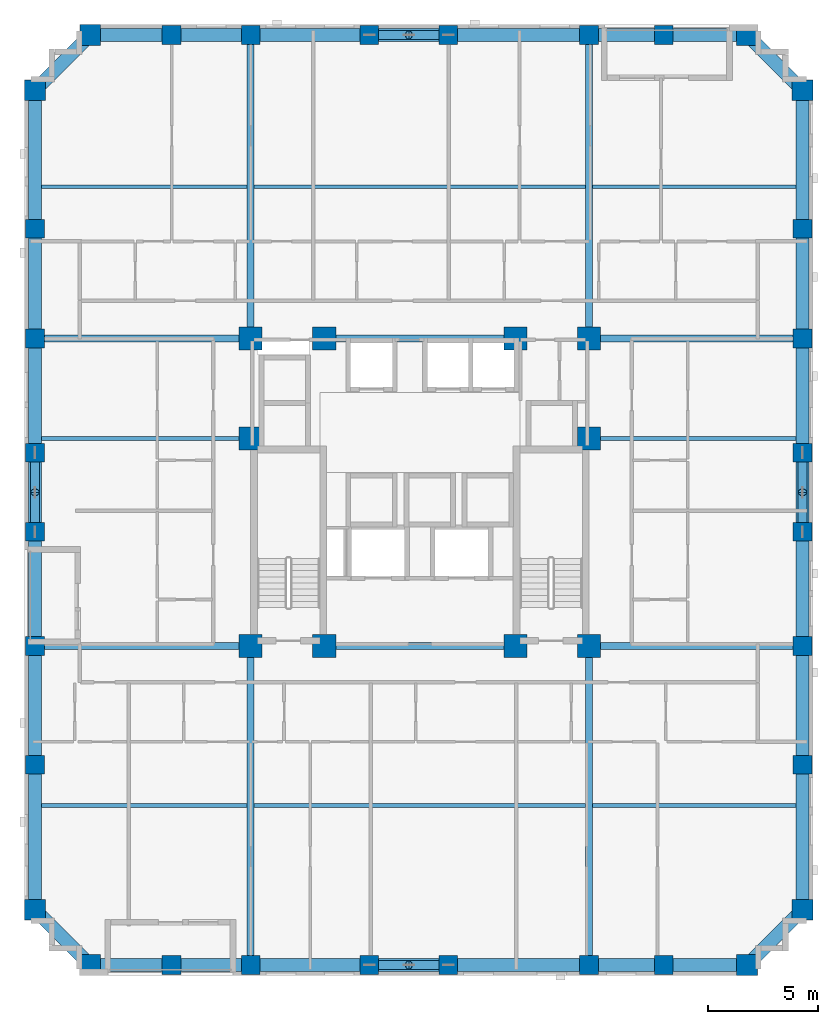
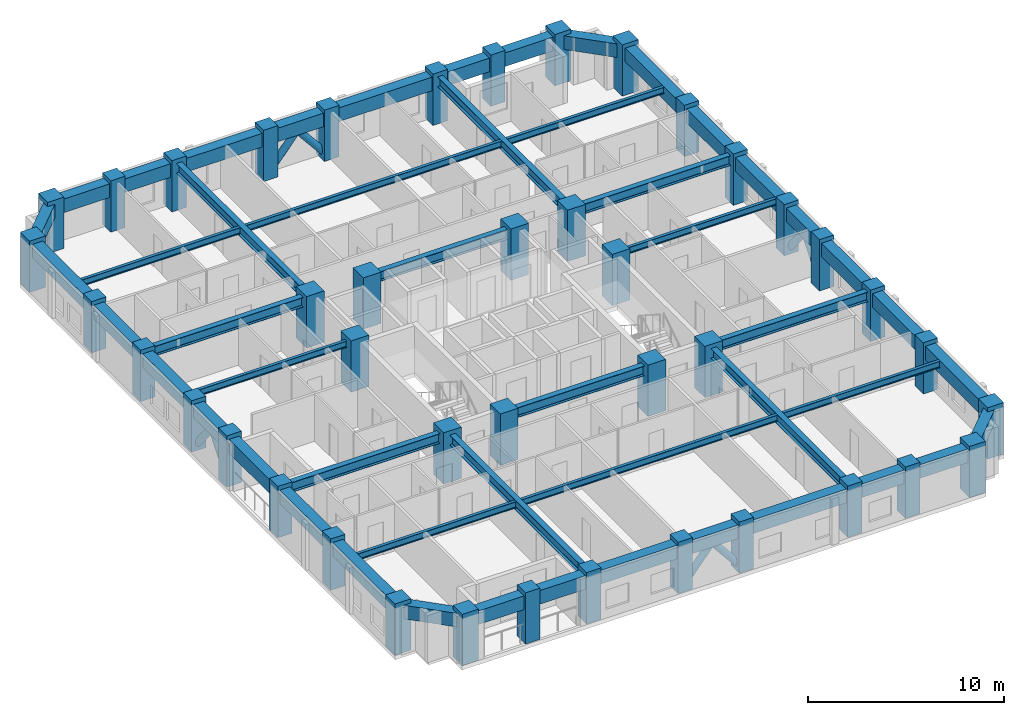
# One storey, part 1 of 12: 50 beams, 42 columns, 8 members.
"""IFC4 building model written with IfcOpenShell, lengths in metres."""

from ifc_helpers import new_model, si_unit, derived_unit, direction, frame, origin, origin_2d, place, context, subcontext, project, spatial, rectangle, hollow_circle, i_section, extrude, material, material_profile, profile_set, type_object, element, save


model = new_model("IFC4")

# Units and contexts
model_context = context("Model", 3, precision=1e-05, world=origin(), true_north=direction((0.0, 1.0)))
body_context = subcontext(model_context, "Body", "Model", "MODEL_VIEW")
ifc_project = project(units=[si_unit("LENGTHUNIT", "METRE"), si_unit("AREAUNIT", "SQUARE_METRE"), si_unit("VOLUMEUNIT", "CUBIC_METRE"), si_unit("PLANEANGLEUNIT", "RADIAN"), si_unit("MASSUNIT", "GRAM", prefix="KILO"), derived_unit("THERMALTRANSMITTANCEUNIT", [(si_unit("MASSUNIT", "GRAM", prefix="KILO"), 1), (si_unit("TIMEUNIT", "SECOND"), -3), (si_unit("THERMODYNAMICTEMPERATUREUNIT", "KELVIN"), -1)])], contexts=[model_context])

# Site, building, storey
site_placement = place(None, origin())
site = spatial("IfcSite", under=ifc_project, at=site_placement, CompositionType="ELEMENT")
building_placement = place(site_placement, origin())
building = spatial("IfcBuilding", under=site, at=building_placement, Name="Korrvale Station Residences", CompositionType="ELEMENT")
storey_placement = place(building_placement, frame((0.0, 0.0, 94.300048828125)))
storey = spatial("IfcBuildingStorey", under=building, at=storey_placement, Name="L26", CompositionType="ELEMENT", Elevation=94.300048828125)

# Columns
ifc_material_1 = material(Name="Concrete C60/75", Category="concrete")
ifc_material_profile_1 = material_profile(ifc_material_1, rectangle(XDim=1.050048828125, YDim=1.050048828125, at=origin_2d()), Name="RC1050x1050")
ifc_profile_set_1 = profile_set([ifc_material_profile_1], Name="Concrete C60/75")
column_type_1 = type_object("IfcColumnType", Name="COL-C-RC1050x1050-C6075", PredefinedType="COLUMN", material=ifc_profile_set_1)
for number, where, z_axis, x_axis, name in (
    (1, (17.800048828125, 15.0, 0.0), (0.0, 0.0, 1.0), (1.0, 0.0, 0.0), "L26 Core Column 01"),
    (2, (21.14990234375, 15.0, 0.0), (0.0, 0.0, 1.0), (1.0, 0.0, 0.0), "L26 Core Column 02"),
    (3, (29.85009765625, 15.0, 0.0), (0.0, 0.0, 1.0), (1.0, 0.0, 0.0), "L26 Core Column 03"),
    (4, (33.199951171875, 15.0, 0.0), (0.0, 0.0, 1.0), (1.0, 0.0, 0.0), "L26 Core Column 04"),
    (5, (17.800048828125, 29.0, 0.0), (0.0, 0.0, 1.0), (1.0, 0.0, 0.0), "L26 Core Column 05"),
    (6, (21.14990234375, 29.0, 0.0), (0.0, 0.0, 1.0), (1.0, 0.0, 0.0), "L26 Core Column 06"),
    (7, (29.85009765625, 29.0, 0.0), (0.0, 0.0, 1.0), (1.0, 0.0, 0.0), "L26 Core Column 07"),
    (8, (33.199951171875, 29.0, 0.0), (0.0, 0.0, 1.0), (1.0, 0.0, 0.0), "L26 Core Column 08"),
    (9, (17.800048828125, 24.449951171875, 0.0), (0.0, 0.0, 1.0), (1.0, 0.0, 0.0), "L26 Core Column 09"),
    (10, (33.199951171875, 24.449951171875, 0.0), (0.0, 0.0, 1.0), (1.0, 0.0, 0.0), "L26 Core Column 10"),
):
    element("IfcColumn", number, at=place(storey_placement, frame(where, z_axis=z_axis, x_axis=x_axis)), inside=storey, type_object=column_type_1, Name=name, PredefinedType="COLUMN", context=body_context, shape_type="SweptSolid", body=[
        extrude(rectangle(XDim=1.050048828125, YDim=1.050048828125, at=origin_2d()), origin(), (0.0, 0.0, 1.0), 3.199951171875),
    ])
ifc_material_profile_2 = material_profile(ifc_material_1, rectangle(XDim=0.85009765625, YDim=0.85009765625, at=origin_2d()), Name="RC850x850")
ifc_profile_set_2 = profile_set([ifc_material_profile_2], Name="Concrete C60/75")
column_type_2 = type_object("IfcColumnType", Name="COL-C-RC850x850-C6075", PredefinedType="COLUMN", material=ifc_profile_set_2)
for number, where, z_axis, x_axis, name in (
    (11, (14.199951171875, 0.47998046875, 0.0), (0.0, 0.0, 1.0), (1.0, 0.0, 0.0), "L26 Bundled-Tube South Column 02"),
    (12, (17.800048828125, 0.47998046875, 0.0), (0.0, 0.0, 1.0), (1.0, 0.0, 0.0), "L26 Bundled-Tube South Column 03"),
    (13, (23.199951171875, 0.47998046875, 0.0), (0.0, 0.0, 1.0), (1.0, 0.0, 0.0), "L26 Bundled-Tube South Column 04"),
    (14, (26.800048828125, 0.47998046875, 0.0), (0.0, 0.0, 1.0), (1.0, 0.0, 0.0), "L26 Bundled-Tube South Column 05"),
    (15, (33.199951171875, 0.47998046875, 0.0), (0.0, 0.0, 1.0), (1.0, 0.0, 0.0), "L26 Bundled-Tube South Column 06"),
    (16, (36.60009765625, 0.47998046875, 0.0), (0.0, 0.0, 1.0), (1.0, 0.0, 0.0), "L26 Bundled-Tube South Column 07"),
    (17, (14.199951171875, 42.820068359375, 0.0), (0.0, 0.0, 1.0), (1.0, 0.0, 0.0), "L26 Bundled-Tube North Column 10"),
    (18, (17.800048828125, 42.820068359375, 0.0), (0.0, 0.0, 1.0), (1.0, 0.0, 0.0), "L26 Bundled-Tube North Column 11"),
    (19, (23.199951171875, 42.820068359375, 0.0), (0.0, 0.0, 1.0), (1.0, 0.0, 0.0), "L26 Bundled-Tube North Column 12"),
    (20, (26.800048828125, 42.820068359375, 0.0), (0.0, 0.0, 1.0), (1.0, 0.0, 0.0), "L26 Bundled-Tube North Column 13"),
    (21, (33.199951171875, 42.820068359375, 0.0), (0.0, 0.0, 1.0), (1.0, 0.0, 0.0), "L26 Bundled-Tube North Column 14"),
    (22, (36.60009765625, 42.820068359375, 0.0), (0.0, 0.0, 1.0), (1.0, 0.0, 0.0), "L26 Bundled-Tube North Column 15"),
    (23, (7.97998046875, 9.60009765625, 0.0), (0.0, 0.0, 1.0), (1.0, 0.0, 0.0), "L26 Bundled-Tube West Column 18"),
    (24, (7.97998046875, 15.0, 0.0), (0.0, 0.0, 1.0), (1.0, 0.0, 0.0), "L26 Bundled-Tube West Column 19"),
    (25, (7.97998046875, 20.199951171875, 0.0), (0.0, 0.0, 1.0), (1.0, 0.0, 0.0), "L26 Bundled-Tube West Column 20"),
    (26, (7.97998046875, 23.800048828125, 0.0), (0.0, 0.0, 1.0), (1.0, 0.0, 0.0), "L26 Bundled-Tube West Column 21"),
    (27, (7.97998046875, 29.0, 0.0), (0.0, 0.0, 1.0), (1.0, 0.0, 0.0), "L26 Bundled-Tube West Column 22"),
    (28, (7.97998046875, 34.0, 0.0), (0.0, 0.0, 1.0), (1.0, 0.0, 0.0), "L26 Bundled-Tube West Column 23"),
    (29, (42.919921875, 9.60009765625, 0.0), (0.0, 0.0, 1.0), (1.0, 0.0, 0.0), "L26 Bundled-Tube East Column 26"),
    (30, (42.919921875, 15.0, 0.0), (0.0, 0.0, 1.0), (1.0, 0.0, 0.0), "L26 Bundled-Tube East Column 27"),
    (31, (42.919921875, 20.199951171875, 0.0), (0.0, 0.0, 1.0), (1.0, 0.0, 0.0), "L26 Bundled-Tube East Column 28"),
    (32, (42.919921875, 23.800048828125, 0.0), (0.0, 0.0, 1.0), (1.0, 0.0, 0.0), "L26 Bundled-Tube East Column 29"),
    (33, (42.919921875, 29.0, 0.0), (0.0, 0.0, 1.0), (1.0, 0.0, 0.0), "L26 Bundled-Tube East Column 30"),
    (34, (42.919921875, 34.0, 0.0), (0.0, 0.0, 1.0), (1.0, 0.0, 0.0), "L26 Bundled-Tube East Column 31"),
):
    element("IfcColumn", number, at=place(storey_placement, frame(where, z_axis=z_axis, x_axis=x_axis)), inside=storey, type_object=column_type_2, Name=name, PredefinedType="COLUMN", context=body_context, shape_type="SweptSolid", body=[
        extrude(rectangle(XDim=0.85009765625, YDim=0.85009765625, at=origin_2d()), origin(), (0.0, 0.0, 1.0), 3.199951171875),
    ])
ifc_material_profile_3 = material_profile(ifc_material_1, rectangle(XDim=0.949951171875, YDim=0.949951171875, at=origin_2d()), Name="RC950x950")
ifc_profile_set_3 = profile_set([ifc_material_profile_3], Name="Concrete C60/75")
column_type_3 = type_object("IfcColumnType", Name="COL-C-RC950x950-C6075", PredefinedType="COLUMN", material=ifc_profile_set_3)
for number, where, z_axis, x_axis, name in (
    (35, (10.5, 0.47998046875, 0.0), (0.0, 0.0, 1.0), (1.0, 0.0, 0.0), "L26 Bundled-Tube South Column 01"),
    (36, (40.39990234375, 0.47998046875, 0.0), (0.0, 0.0, 1.0), (1.0, 0.0, 0.0), "L26 Bundled-Tube South Column 08"),
    (37, (10.5, 42.820068359375, 0.0), (0.0, 0.0, 1.0), (1.0, 0.0, 0.0), "L26 Bundled-Tube North Column 09"),
    (38, (40.39990234375, 42.820068359375, 0.0), (0.0, 0.0, 1.0), (1.0, 0.0, 0.0), "L26 Bundled-Tube North Column 16"),
    (39, (7.97998046875, 3.0, 0.0), (0.0, 0.0, 1.0), (1.0, 0.0, 0.0), "L26 Bundled-Tube West Column 17"),
    (40, (7.97998046875, 40.300048828125, 0.0), (0.0, 0.0, 1.0), (1.0, 0.0, 0.0), "L26 Bundled-Tube West Column 24"),
    (41, (42.919921875, 3.0, 0.0), (0.0, 0.0, 1.0), (1.0, 0.0, 0.0), "L26 Bundled-Tube East Column 25"),
    (42, (42.919921875, 40.300048828125, 0.0), (0.0, 0.0, 1.0), (1.0, 0.0, 0.0), "L26 Bundled-Tube East Column 32"),
):
    element("IfcColumn", number, at=place(storey_placement, frame(where, z_axis=z_axis, x_axis=x_axis)), inside=storey, type_object=column_type_3, Name=name, PredefinedType="COLUMN", context=body_context, shape_type="SweptSolid", body=[
        extrude(rectangle(XDim=0.949951171875, YDim=0.949951171875, at=origin_2d()), origin(), (0.0, 0.0, 1.0), 3.199951171875),
    ])

# Beams
ifc_material_2 = material(Name="Steel S355", Category="steel")
ifc_material_profile_4 = material_profile(ifc_material_2, i_section(OverallWidth=0.324951171875, OverallDepth=0.615966796875, WebThickness=0.013916015625, FlangeThickness=0.021484375, FilletRadius=0.01904296875, at=origin_2d()), Name="W610x174")
ifc_profile_set_4 = profile_set([ifc_material_profile_4], Name="Steel S355")
beam_type_1 = type_object("IfcBeamType", Name="BM-BM-W610x174-S355", PredefinedType="BEAM", material=ifc_profile_set_4)
for number, where, z_axis, x_axis, name in (
    (43, (17.800048828125, 0.47998046875, 2.6318359375), (0.0, 1.0, 0.0), (-1.0, 0.0, 0.0), "L26 Bundled-Tube Web Girder 01"),
    (44, (33.199951171875, 0.47998046875, 2.6318359375), (0.0, 1.0, 0.0), (-1.0, 0.0, 0.0), "L26 Bundled-Tube Web Girder 02"),
):
    element("IfcBeam", number, at=place(storey_placement, frame(where, z_axis=z_axis, x_axis=x_axis)), inside=storey, type_object=beam_type_1, Name=name, PredefinedType="BEAM", context=body_context, shape_type="SweptSolid", body=[
        extrude(i_section(OverallWidth=0.324951171875, OverallDepth=0.615966796875, WebThickness=0.013916015625, FlangeThickness=0.021484375, FilletRadius=0.01904296875, at=origin_2d()), origin(), (0.0, 0.0, 1.0), 14.52001953125),
    ])
for number, where, z_axis, x_axis, name in (
    (45, (17.800048828125, 29.0, 2.6318359375), (0.0, 1.0, 0.0), (-1.0, 0.0, 0.0), "L26 Bundled-Tube Web Girder 03"),
    (46, (33.199951171875, 29.0, 2.6318359375), (0.0, 1.0, 0.0), (-1.0, 0.0, 0.0), "L26 Bundled-Tube Web Girder 04"),
):
    element("IfcBeam", number, at=place(storey_placement, frame(where, z_axis=z_axis, x_axis=x_axis)), inside=storey, type_object=beam_type_1, Name=name, PredefinedType="BEAM", context=body_context, shape_type="SweptSolid", body=[
        extrude(i_section(OverallWidth=0.324951171875, OverallDepth=0.615966796875, WebThickness=0.013916015625, FlangeThickness=0.021484375, FilletRadius=0.01904296875, at=origin_2d()), origin(), (0.0, 0.0, 1.0), 13.820068359375),
    ])
beam_1_placement = place(storey_placement, frame((7.97998046875, 15.0, 2.6318359375), z_axis=(1.0, 0.0, 0.0), x_axis=(0.0, 1.0, 0.0)))
element("IfcBeam", 47, at=beam_1_placement, inside=storey, type_object=beam_type_1, Name="L26 Bundled-Tube Web Girder 05", PredefinedType="BEAM", context=body_context, shape_type="SweptSolid", body=[
    extrude(i_section(OverallWidth=0.324951171875, OverallDepth=0.615966796875, WebThickness=0.013916015625, FlangeThickness=0.021484375, FilletRadius=0.01904296875, at=origin_2d()), origin(), (0.0, 0.0, 1.0), 9.820068359375),
])
beam_2_placement = place(storey_placement, frame((33.199951171875, 15.0, 2.6318359375), z_axis=(1.0, 0.0, 0.0), x_axis=(0.0, 1.0, 0.0)))
element("IfcBeam", 48, at=beam_2_placement, inside=storey, type_object=beam_type_1, Name="L26 Bundled-Tube Web Girder 06", PredefinedType="BEAM", context=body_context, shape_type="SweptSolid", body=[
    extrude(i_section(OverallWidth=0.324951171875, OverallDepth=0.615966796875, WebThickness=0.013916015625, FlangeThickness=0.021484375, FilletRadius=0.01904296875, at=origin_2d()), origin(), (0.0, 0.0, 1.0), 9.719970703125),
])
beam_3_placement = place(storey_placement, frame((7.97998046875, 29.0, 2.6318359375), z_axis=(1.0, 0.0, 0.0), x_axis=(0.0, 1.0, 0.0)))
element("IfcBeam", 49, at=beam_3_placement, inside=storey, type_object=beam_type_1, Name="L26 Bundled-Tube Web Girder 07", PredefinedType="BEAM", context=body_context, shape_type="SweptSolid", body=[
    extrude(i_section(OverallWidth=0.324951171875, OverallDepth=0.615966796875, WebThickness=0.013916015625, FlangeThickness=0.021484375, FilletRadius=0.01904296875, at=origin_2d()), origin(), (0.0, 0.0, 1.0), 9.820068359375),
])
beam_4_placement = place(storey_placement, frame((33.199951171875, 29.0, 2.6318359375), z_axis=(1.0, 0.0, 0.0), x_axis=(0.0, 1.0, 0.0)))
element("IfcBeam", 50, at=beam_4_placement, inside=storey, type_object=beam_type_1, Name="L26 Bundled-Tube Web Girder 08", PredefinedType="BEAM", context=body_context, shape_type="SweptSolid", body=[
    extrude(i_section(OverallWidth=0.324951171875, OverallDepth=0.615966796875, WebThickness=0.013916015625, FlangeThickness=0.021484375, FilletRadius=0.01904296875, at=origin_2d()), origin(), (0.0, 0.0, 1.0), 9.719970703125),
])
for number, where, z_axis, x_axis, name in (
    (51, (21.14990234375, 15.0, 2.6318359375), (1.0, 0.0, 0.0), (0.0, 1.0, 0.0), "L26 Bundled-Tube Web Girder 09"),
    (52, (21.14990234375, 29.0, 2.6318359375), (1.0, 0.0, 0.0), (0.0, 1.0, 0.0), "L26 Bundled-Tube Web Girder 10"),
):
    element("IfcBeam", number, at=place(storey_placement, frame(where, z_axis=z_axis, x_axis=x_axis)), inside=storey, type_object=beam_type_1, Name=name, PredefinedType="BEAM", context=body_context, shape_type="SweptSolid", body=[
        extrude(i_section(OverallWidth=0.324951171875, OverallDepth=0.615966796875, WebThickness=0.013916015625, FlangeThickness=0.021484375, FilletRadius=0.01904296875, at=origin_2d()), origin(), (0.0, 0.0, 1.0), 8.7001953125),
    ])
ifc_material_profile_5 = material_profile(ifc_material_2, i_section(OverallWidth=0.177978515625, OverallDepth=0.406982421875, WebThickness=0.0078125, FlangeThickness=0.0126953125, FilletRadius=0.01611328125, at=origin_2d()), Name="W410x60")
ifc_profile_set_5 = profile_set([ifc_material_profile_5], Name="Steel S355")
beam_type_2 = type_object("IfcBeamType", Name="BM-JST-W410x60-S355", PredefinedType="JOIST", material=ifc_profile_set_5)
beam_5_placement = place(storey_placement, frame((8.280029296875, 7.739990234375, 2.736572265625), z_axis=(1.0, 0.0, 0.0), x_axis=(0.0, 1.0, 0.0)))
element("IfcBeam", 53, at=beam_5_placement, inside=storey, type_object=beam_type_2, Name="L26 Floor Framing Joist 01", PredefinedType="JOIST", context=body_context, shape_type="SweptSolid", body=[
    extrude(i_section(OverallWidth=0.177978515625, OverallDepth=0.406982421875, WebThickness=0.0078125, FlangeThickness=0.0126953125, FilletRadius=0.01611328125, at=origin_2d()), origin(), (0.0, 0.0, 1.0), 9.357421875),
])
beam_6_placement = place(storey_placement, frame((17.96240234375, 7.739990234375, 2.736572265625), z_axis=(1.0, 0.0, 0.0), x_axis=(0.0, 1.0, 0.0)))
element("IfcBeam", 54, at=beam_6_placement, inside=storey, type_object=beam_type_2, Name="L26 Floor Framing Joist 02", PredefinedType="JOIST", context=body_context, shape_type="SweptSolid", body=[
    extrude(i_section(OverallWidth=0.177978515625, OverallDepth=0.406982421875, WebThickness=0.0078125, FlangeThickness=0.0126953125, FilletRadius=0.01611328125, at=origin_2d()), origin(), (0.0, 0.0, 1.0), 15.0751953125),
])
beam_7_placement = place(storey_placement, frame((33.362548828125, 7.739990234375, 2.736572265625), z_axis=(1.0, 0.0, 0.0), x_axis=(0.0, 1.0, 0.0)))
element("IfcBeam", 55, at=beam_7_placement, inside=storey, type_object=beam_type_2, Name="L26 Floor Framing Joist 03", PredefinedType="JOIST", context=body_context, shape_type="SweptSolid", body=[
    extrude(i_section(OverallWidth=0.177978515625, OverallDepth=0.406982421875, WebThickness=0.0078125, FlangeThickness=0.0126953125, FilletRadius=0.01611328125, at=origin_2d()), origin(), (0.0, 0.0, 1.0), 9.257568359375),
])
beam_8_placement = place(storey_placement, frame((8.280029296875, 35.909912109375, 2.736572265625), z_axis=(1.0, 0.0, 0.0), x_axis=(0.0, 1.0, 0.0)))
element("IfcBeam", 56, at=beam_8_placement, inside=storey, type_object=beam_type_2, Name="L26 Floor Framing Joist 04", PredefinedType="JOIST", context=body_context, shape_type="SweptSolid", body=[
    extrude(i_section(OverallWidth=0.177978515625, OverallDepth=0.406982421875, WebThickness=0.0078125, FlangeThickness=0.0126953125, FilletRadius=0.01611328125, at=origin_2d()), origin(), (0.0, 0.0, 1.0), 9.357421875),
])
beam_9_placement = place(storey_placement, frame((17.96240234375, 35.909912109375, 2.736572265625), z_axis=(1.0, 0.0, 0.0), x_axis=(0.0, 1.0, 0.0)))
element("IfcBeam", 57, at=beam_9_placement, inside=storey, type_object=beam_type_2, Name="L26 Floor Framing Joist 05", PredefinedType="JOIST", context=body_context, shape_type="SweptSolid", body=[
    extrude(i_section(OverallWidth=0.177978515625, OverallDepth=0.406982421875, WebThickness=0.0078125, FlangeThickness=0.0126953125, FilletRadius=0.01611328125, at=origin_2d()), origin(), (0.0, 0.0, 1.0), 15.0751953125),
])
beam_10_placement = place(storey_placement, frame((33.362548828125, 35.909912109375, 2.736572265625), z_axis=(1.0, 0.0, 0.0), x_axis=(0.0, 1.0, 0.0)))
element("IfcBeam", 58, at=beam_10_placement, inside=storey, type_object=beam_type_2, Name="L26 Floor Framing Joist 06", PredefinedType="JOIST", context=body_context, shape_type="SweptSolid", body=[
    extrude(i_section(OverallWidth=0.177978515625, OverallDepth=0.406982421875, WebThickness=0.0078125, FlangeThickness=0.0126953125, FilletRadius=0.01611328125, at=origin_2d()), origin(), (0.0, 0.0, 1.0), 9.257568359375),
])
beam_11_placement = place(storey_placement, frame((33.199951171875, 24.449951171875, 2.736572265625), z_axis=(1.0, 0.0, 0.0), x_axis=(0.0, 1.0, 0.0)))
element("IfcBeam", 59, at=beam_11_placement, inside=storey, type_object=beam_type_2, Name="L26 Floor Framing Joist 07", PredefinedType="JOIST", context=body_context, shape_type="SweptSolid", body=[
    extrude(i_section(OverallWidth=0.177978515625, OverallDepth=0.406982421875, WebThickness=0.0078125, FlangeThickness=0.0126953125, FilletRadius=0.01611328125, at=origin_2d()), origin(), (0.0, 0.0, 1.0), 9.420166015625),
])
beam_12_placement = place(storey_placement, frame((8.280029296875, 24.449951171875, 2.736572265625), z_axis=(1.0, 0.0, 0.0), x_axis=(0.0, 1.0, 0.0)))
element("IfcBeam", 60, at=beam_12_placement, inside=storey, type_object=beam_type_2, Name="L26 Floor Framing Joist 08", PredefinedType="JOIST", context=body_context, shape_type="SweptSolid", body=[
    extrude(i_section(OverallWidth=0.177978515625, OverallDepth=0.406982421875, WebThickness=0.0078125, FlangeThickness=0.0126953125, FilletRadius=0.01611328125, at=origin_2d()), origin(), (0.0, 0.0, 1.0), 9.52001953125),
])
ifc_material_profile_6 = material_profile(ifc_material_1, rectangle(XDim=0.60009765625, YDim=0.85009765625, at=origin_2d()), Name="RCB600x850")
ifc_profile_set_6 = profile_set([ifc_material_profile_6], Name="Concrete C60/75")
beam_type_3 = type_object("IfcBeamType", Name="BM-SPB-RCB600x850-C6075", PredefinedType="SPANDREL", material=ifc_profile_set_6)
beam_13_placement = place(storey_placement, frame((10.5, 0.47998046875, 2.514892578125), z_axis=(1.0, 0.0, 0.0), x_axis=(0.0, 1.0, 0.0)))
element("IfcBeam", 61, at=beam_13_placement, inside=storey, type_object=beam_type_3, Name="L26 South Tube Spandrel 01", PredefinedType="SPANDREL", context=body_context, shape_type="SweptSolid", body=[
    extrude(rectangle(XDim=0.60009765625, YDim=0.85009765625, at=origin_2d()), origin(), (0.0, 0.0, 1.0), 3.699951171875),
])
beam_14_placement = place(storey_placement, frame((14.199951171875, 0.47998046875, 2.514892578125), z_axis=(1.0, 0.0, 0.0), x_axis=(0.0, 1.0, 0.0)))
element("IfcBeam", 62, at=beam_14_placement, inside=storey, type_object=beam_type_3, Name="L26 South Tube Spandrel 02", PredefinedType="SPANDREL", context=body_context, shape_type="SweptSolid", body=[
    extrude(rectangle(XDim=0.60009765625, YDim=0.85009765625, at=origin_2d()), origin(), (0.0, 0.0, 1.0), 3.60009765625),
])
beam_15_placement = place(storey_placement, frame((17.800048828125, 0.47998046875, 2.514892578125), z_axis=(1.0, 0.0, 0.0), x_axis=(0.0, 1.0, 0.0)))
element("IfcBeam", 63, at=beam_15_placement, inside=storey, type_object=beam_type_3, Name="L26 South Tube Spandrel 03", PredefinedType="SPANDREL", context=body_context, shape_type="SweptSolid", body=[
    extrude(rectangle(XDim=0.60009765625, YDim=0.85009765625, at=origin_2d()), origin(), (0.0, 0.0, 1.0), 5.39990234375),
])
beam_16_placement = place(storey_placement, frame((23.199951171875, 0.47998046875, 2.514892578125), z_axis=(1.0, 0.0, 0.0), x_axis=(0.0, 1.0, 0.0)))
element("IfcBeam", 64, at=beam_16_placement, inside=storey, type_object=beam_type_3, Name="L26 South Tube Spandrel 04", PredefinedType="SPANDREL", context=body_context, shape_type="SweptSolid", body=[
    extrude(rectangle(XDim=0.60009765625, YDim=0.85009765625, at=origin_2d()), origin(), (0.0, 0.0, 1.0), 3.60009765625),
])
beam_17_placement = place(storey_placement, frame((26.800048828125, 0.47998046875, 2.514892578125), z_axis=(1.0, 0.0, 0.0), x_axis=(0.0, 1.0, 0.0)))
element("IfcBeam", 65, at=beam_17_placement, inside=storey, type_object=beam_type_3, Name="L26 South Tube Spandrel 05", PredefinedType="SPANDREL", context=body_context, shape_type="SweptSolid", body=[
    extrude(rectangle(XDim=0.60009765625, YDim=0.85009765625, at=origin_2d()), origin(), (0.0, 0.0, 1.0), 6.39990234375),
])
beam_18_placement = place(storey_placement, frame((33.199951171875, 0.47998046875, 2.514892578125), z_axis=(1.0, 0.0, 0.0), x_axis=(0.0, 1.0, 0.0)))
element("IfcBeam", 66, at=beam_18_placement, inside=storey, type_object=beam_type_3, Name="L26 South Tube Spandrel 06", PredefinedType="SPANDREL", context=body_context, shape_type="SweptSolid", body=[
    extrude(rectangle(XDim=0.60009765625, YDim=0.85009765625, at=origin_2d()), origin(), (0.0, 0.0, 1.0), 3.400146484375),
])
beam_19_placement = place(storey_placement, frame((36.60009765625, 0.47998046875, 2.514892578125), z_axis=(1.0, 0.0, 0.0), x_axis=(0.0, 1.0, 0.0)))
element("IfcBeam", 67, at=beam_19_placement, inside=storey, type_object=beam_type_3, Name="L26 South Tube Spandrel 07", PredefinedType="SPANDREL", context=body_context, shape_type="SweptSolid", body=[
    extrude(rectangle(XDim=0.60009765625, YDim=0.85009765625, at=origin_2d()), origin(), (0.0, 0.0, 1.0), 3.7998046875),
])
beam_20_placement = place(storey_placement, frame((10.5, 42.820068359375, 2.514892578125), z_axis=(1.0, 0.0, 0.0), x_axis=(0.0, 1.0, 0.0)))
element("IfcBeam", 68, at=beam_20_placement, inside=storey, type_object=beam_type_3, Name="L26 North Tube Spandrel 08", PredefinedType="SPANDREL", context=body_context, shape_type="SweptSolid", body=[
    extrude(rectangle(XDim=0.60009765625, YDim=0.85009765625, at=origin_2d()), origin(), (0.0, 0.0, 1.0), 3.699951171875),
])
beam_21_placement = place(storey_placement, frame((14.199951171875, 42.820068359375, 2.514892578125), z_axis=(1.0, 0.0, 0.0), x_axis=(0.0, 1.0, 0.0)))
element("IfcBeam", 69, at=beam_21_placement, inside=storey, type_object=beam_type_3, Name="L26 North Tube Spandrel 09", PredefinedType="SPANDREL", context=body_context, shape_type="SweptSolid", body=[
    extrude(rectangle(XDim=0.60009765625, YDim=0.85009765625, at=origin_2d()), origin(), (0.0, 0.0, 1.0), 3.60009765625),
])
beam_22_placement = place(storey_placement, frame((17.800048828125, 42.820068359375, 2.514892578125), z_axis=(1.0, 0.0, 0.0), x_axis=(0.0, 1.0, 0.0)))
element("IfcBeam", 70, at=beam_22_placement, inside=storey, type_object=beam_type_3, Name="L26 North Tube Spandrel 10", PredefinedType="SPANDREL", context=body_context, shape_type="SweptSolid", body=[
    extrude(rectangle(XDim=0.60009765625, YDim=0.85009765625, at=origin_2d()), origin(), (0.0, 0.0, 1.0), 5.39990234375),
])
beam_23_placement = place(storey_placement, frame((23.199951171875, 42.820068359375, 2.514892578125), z_axis=(1.0, 0.0, 0.0), x_axis=(0.0, 1.0, 0.0)))
element("IfcBeam", 71, at=beam_23_placement, inside=storey, type_object=beam_type_3, Name="L26 North Tube Spandrel 11", PredefinedType="SPANDREL", context=body_context, shape_type="SweptSolid", body=[
    extrude(rectangle(XDim=0.60009765625, YDim=0.85009765625, at=origin_2d()), origin(), (0.0, 0.0, 1.0), 3.60009765625),
])
beam_24_placement = place(storey_placement, frame((26.800048828125, 42.820068359375, 2.514892578125), z_axis=(1.0, 0.0, 0.0), x_axis=(0.0, 1.0, 0.0)))
element("IfcBeam", 72, at=beam_24_placement, inside=storey, type_object=beam_type_3, Name="L26 North Tube Spandrel 12", PredefinedType="SPANDREL", context=body_context, shape_type="SweptSolid", body=[
    extrude(rectangle(XDim=0.60009765625, YDim=0.85009765625, at=origin_2d()), origin(), (0.0, 0.0, 1.0), 6.39990234375),
])
beam_25_placement = place(storey_placement, frame((33.199951171875, 42.820068359375, 2.514892578125), z_axis=(1.0, 0.0, 0.0), x_axis=(0.0, 1.0, 0.0)))
element("IfcBeam", 73, at=beam_25_placement, inside=storey, type_object=beam_type_3, Name="L26 North Tube Spandrel 13", PredefinedType="SPANDREL", context=body_context, shape_type="SweptSolid", body=[
    extrude(rectangle(XDim=0.60009765625, YDim=0.85009765625, at=origin_2d()), origin(), (0.0, 0.0, 1.0), 3.400146484375),
])
beam_26_placement = place(storey_placement, frame((36.60009765625, 42.820068359375, 2.514892578125), z_axis=(1.0, 0.0, 0.0), x_axis=(0.0, 1.0, 0.0)))
element("IfcBeam", 74, at=beam_26_placement, inside=storey, type_object=beam_type_3, Name="L26 North Tube Spandrel 14", PredefinedType="SPANDREL", context=body_context, shape_type="SweptSolid", body=[
    extrude(rectangle(XDim=0.60009765625, YDim=0.85009765625, at=origin_2d()), origin(), (0.0, 0.0, 1.0), 3.7998046875),
])
beam_27_placement = place(storey_placement, frame((7.97998046875, 3.0, 2.514892578125), z_axis=(0.0, 1.0, 0.0), x_axis=(-1.0, 0.0, 0.0)))
element("IfcBeam", 75, at=beam_27_placement, inside=storey, type_object=beam_type_3, Name="L26 West Tube Spandrel 15", PredefinedType="SPANDREL", context=body_context, shape_type="SweptSolid", body=[
    extrude(rectangle(XDim=0.60009765625, YDim=0.85009765625, at=origin_2d()), origin(), (0.0, 0.0, 1.0), 6.60009765625),
])
beam_28_placement = place(storey_placement, frame((7.97998046875, 9.60009765625, 2.514892578125), z_axis=(0.0, 1.0, 0.0), x_axis=(-1.0, 0.0, 0.0)))
element("IfcBeam", 76, at=beam_28_placement, inside=storey, type_object=beam_type_3, Name="L26 West Tube Spandrel 16", PredefinedType="SPANDREL", context=body_context, shape_type="SweptSolid", body=[
    extrude(rectangle(XDim=0.60009765625, YDim=0.85009765625, at=origin_2d()), origin(), (0.0, 0.0, 1.0), 5.39990234375),
])
beam_29_placement = place(storey_placement, frame((7.97998046875, 15.0, 2.514892578125), z_axis=(0.0, 1.0, 0.0), x_axis=(-1.0, 0.0, 0.0)))
element("IfcBeam", 77, at=beam_29_placement, inside=storey, type_object=beam_type_3, Name="L26 West Tube Spandrel 17", PredefinedType="SPANDREL", context=body_context, shape_type="SweptSolid", body=[
    extrude(rectangle(XDim=0.60009765625, YDim=0.85009765625, at=origin_2d()), origin(), (0.0, 0.0, 1.0), 5.199951171875),
])
beam_30_placement = place(storey_placement, frame((7.97998046875, 20.199951171875, 2.514892578125), z_axis=(0.0, 1.0, 0.0), x_axis=(-1.0, 0.0, 0.0)))
element("IfcBeam", 78, at=beam_30_placement, inside=storey, type_object=beam_type_3, Name="L26 West Tube Spandrel 18", PredefinedType="SPANDREL", context=body_context, shape_type="SweptSolid", body=[
    extrude(rectangle(XDim=0.60009765625, YDim=0.85009765625, at=origin_2d()), origin(), (0.0, 0.0, 1.0), 3.60009765625),
])
beam_31_placement = place(storey_placement, frame((7.97998046875, 23.800048828125, 2.514892578125), z_axis=(0.0, 1.0, 0.0), x_axis=(-1.0, 0.0, 0.0)))
element("IfcBeam", 79, at=beam_31_placement, inside=storey, type_object=beam_type_3, Name="L26 West Tube Spandrel 19", PredefinedType="SPANDREL", context=body_context, shape_type="SweptSolid", body=[
    extrude(rectangle(XDim=0.60009765625, YDim=0.85009765625, at=origin_2d()), origin(), (0.0, 0.0, 1.0), 5.199951171875),
])
beam_32_placement = place(storey_placement, frame((7.97998046875, 29.0, 2.514892578125), z_axis=(0.0, 1.0, 0.0), x_axis=(-1.0, 0.0, 0.0)))
element("IfcBeam", 80, at=beam_32_placement, inside=storey, type_object=beam_type_3, Name="L26 West Tube Spandrel 20", PredefinedType="SPANDREL", context=body_context, shape_type="SweptSolid", body=[
    extrude(rectangle(XDim=0.60009765625, YDim=0.85009765625, at=origin_2d()), origin(), (0.0, 0.0, 1.0), 5.0),
])
beam_33_placement = place(storey_placement, frame((7.97998046875, 34.0, 2.514892578125), z_axis=(0.0, 1.0, 0.0), x_axis=(-1.0, 0.0, 0.0)))
element("IfcBeam", 81, at=beam_33_placement, inside=storey, type_object=beam_type_3, Name="L26 West Tube Spandrel 21", PredefinedType="SPANDREL", context=body_context, shape_type="SweptSolid", body=[
    extrude(rectangle(XDim=0.60009765625, YDim=0.85009765625, at=origin_2d()), origin(), (0.0, 0.0, 1.0), 6.300048828125),
])
beam_34_placement = place(storey_placement, frame((42.919921875, 3.0, 2.514892578125), z_axis=(0.0, 1.0, 0.0), x_axis=(-1.0, 0.0, 0.0)))
element("IfcBeam", 82, at=beam_34_placement, inside=storey, type_object=beam_type_3, Name="L26 East Tube Spandrel 22", PredefinedType="SPANDREL", context=body_context, shape_type="SweptSolid", body=[
    extrude(rectangle(XDim=0.60009765625, YDim=0.85009765625, at=origin_2d()), origin(), (0.0, 0.0, 1.0), 6.60009765625),
])
beam_35_placement = place(storey_placement, frame((42.919921875, 9.60009765625, 2.514892578125), z_axis=(0.0, 1.0, 0.0), x_axis=(-1.0, 0.0, 0.0)))
element("IfcBeam", 83, at=beam_35_placement, inside=storey, type_object=beam_type_3, Name="L26 East Tube Spandrel 23", PredefinedType="SPANDREL", context=body_context, shape_type="SweptSolid", body=[
    extrude(rectangle(XDim=0.60009765625, YDim=0.85009765625, at=origin_2d()), origin(), (0.0, 0.0, 1.0), 5.39990234375),
])
beam_36_placement = place(storey_placement, frame((42.919921875, 15.0, 2.514892578125), z_axis=(0.0, 1.0, 0.0), x_axis=(-1.0, 0.0, 0.0)))
element("IfcBeam", 84, at=beam_36_placement, inside=storey, type_object=beam_type_3, Name="L26 East Tube Spandrel 24", PredefinedType="SPANDREL", context=body_context, shape_type="SweptSolid", body=[
    extrude(rectangle(XDim=0.60009765625, YDim=0.85009765625, at=origin_2d()), origin(), (0.0, 0.0, 1.0), 5.199951171875),
])
beam_37_placement = place(storey_placement, frame((42.919921875, 20.199951171875, 2.514892578125), z_axis=(0.0, 1.0, 0.0), x_axis=(-1.0, 0.0, 0.0)))
element("IfcBeam", 85, at=beam_37_placement, inside=storey, type_object=beam_type_3, Name="L26 East Tube Spandrel 25", PredefinedType="SPANDREL", context=body_context, shape_type="SweptSolid", body=[
    extrude(rectangle(XDim=0.60009765625, YDim=0.85009765625, at=origin_2d()), origin(), (0.0, 0.0, 1.0), 3.60009765625),
])
beam_38_placement = place(storey_placement, frame((42.919921875, 23.800048828125, 2.514892578125), z_axis=(0.0, 1.0, 0.0), x_axis=(-1.0, 0.0, 0.0)))
element("IfcBeam", 86, at=beam_38_placement, inside=storey, type_object=beam_type_3, Name="L26 East Tube Spandrel 26", PredefinedType="SPANDREL", context=body_context, shape_type="SweptSolid", body=[
    extrude(rectangle(XDim=0.60009765625, YDim=0.85009765625, at=origin_2d()), origin(), (0.0, 0.0, 1.0), 5.199951171875),
])
beam_39_placement = place(storey_placement, frame((42.919921875, 29.0, 2.514892578125), z_axis=(0.0, 1.0, 0.0), x_axis=(-1.0, 0.0, 0.0)))
element("IfcBeam", 87, at=beam_39_placement, inside=storey, type_object=beam_type_3, Name="L26 East Tube Spandrel 27", PredefinedType="SPANDREL", context=body_context, shape_type="SweptSolid", body=[
    extrude(rectangle(XDim=0.60009765625, YDim=0.85009765625, at=origin_2d()), origin(), (0.0, 0.0, 1.0), 5.0),
])
beam_40_placement = place(storey_placement, frame((42.919921875, 34.0, 2.514892578125), z_axis=(0.0, 1.0, 0.0), x_axis=(-1.0, 0.0, 0.0)))
element("IfcBeam", 88, at=beam_40_placement, inside=storey, type_object=beam_type_3, Name="L26 East Tube Spandrel 28", PredefinedType="SPANDREL", context=body_context, shape_type="SweptSolid", body=[
    extrude(rectangle(XDim=0.60009765625, YDim=0.85009765625, at=origin_2d()), origin(), (0.0, 0.0, 1.0), 6.300048828125),
])
for number, where, z_axis, x_axis, name in (
    (89, (10.5, 0.47998046875, 2.514892578125), (-0.707106781187, 0.707106781187, 0.0), (-0.707106781187, -0.707106781187, 0.0), "L26 Serrated Corner Spandrel 29"),
    (90, (40.39990234375, 0.47998046875, 2.514892578125), (0.707106781187, 0.707106781187, 0.0), (-0.707106781187, 0.707106781187, 0.0), "L26 Serrated Corner Spandrel 30"),
    (91, (40.39990234375, 42.820068359375, 2.514892578125), (0.707106781187, -0.707106781187, 0.0), (0.707106781187, 0.707106781187, 0.0), "L26 Serrated Corner Spandrel 31"),
    (92, (10.5, 42.820068359375, 2.514892578125), (-0.707106781187, -0.707106781187, 0.0), (0.707106781187, -0.707106781187, 0.0), "L26 Serrated Corner Spandrel 32"),
):
    element("IfcBeam", number, at=place(storey_placement, frame(where, z_axis=z_axis, x_axis=x_axis)), inside=storey, type_object=beam_type_3, Name=name, PredefinedType="SPANDREL", context=body_context, shape_type="SweptSolid", body=[
        extrude(rectangle(XDim=0.60009765625, YDim=0.85009765625, at=origin_2d()), origin(), (0.0, 0.0, 1.0), 3.56396484375),
    ])

# Members
ifc_material_profile_7 = material_profile(ifc_material_2, hollow_circle(Radius=0.203125, WallThickness=0.015869140625, at=origin_2d()), Name="HSS406x16")
ifc_profile_set_7 = profile_set([ifc_material_profile_7], Name="Steel S355")
member_type = type_object("IfcMemberType", Name="MBR-BR-HSS406x16", PredefinedType="BRACE", material=ifc_profile_set_7)
for number, where, z_axis, x_axis, name in (
    (93, (23.199951171875, 0.47998046875, 0.02001953125), (0.634985494602, 0.0, 0.772524058942), (0.0, 1.0, 0.0), "L26 S Perimeter Tube Wind Brace 1"),
    (94, (26.800048828125, 0.47998046875, 0.02001953125), (-0.634985494602, 0.0, 0.772524058942), (0.0, -1.0, 0.0), "L26 S Perimeter Tube Wind Brace 2"),
    (95, (23.199951171875, 42.820068359375, 0.02001953125), (0.634985494602, 0.0, 0.772524058942), (0.0, 1.0, 0.0), "L26 N Perimeter Tube Wind Brace 1"),
    (96, (26.800048828125, 42.820068359375, 0.02001953125), (-0.634985494602, 0.0, 0.772524058942), (0.0, -1.0, 0.0), "L26 N Perimeter Tube Wind Brace 2"),
    (97, (7.97998046875, 20.199951171875, 0.02001953125), (0.0, 0.634985494602, 0.772524058942), (-1.0, 0.0, 0.0), "L26 W Perimeter Tube Wind Brace 1"),
    (98, (7.97998046875, 23.800048828125, 0.02001953125), (0.0, -0.634985494602, 0.772524058942), (1.0, 0.0, 0.0), "L26 W Perimeter Tube Wind Brace 2"),
    (99, (42.919921875, 20.199951171875, 0.02001953125), (0.0, 0.634985494602, 0.772524058942), (-1.0, 0.0, 0.0), "L26 E Perimeter Tube Wind Brace 1"),
    (100, (42.919921875, 23.800048828125, 0.02001953125), (0.0, -0.634985494602, 0.772524058942), (1.0, 0.0, 0.0), "L26 E Perimeter Tube Wind Brace 2"),
):
    element("IfcMember", number, at=place(storey_placement, frame(where, z_axis=z_axis, x_axis=x_axis)), inside=storey, type_object=member_type, Name=name, PredefinedType="BRACE", context=body_context, shape_type="SweptSolid", body=[
        extrude(hollow_circle(Radius=0.203125, WallThickness=0.015869140625, at=origin_2d()), origin(), (0.0, 0.0, 1.0), 2.834716796875),
    ])

save(model, "model.ifc")
